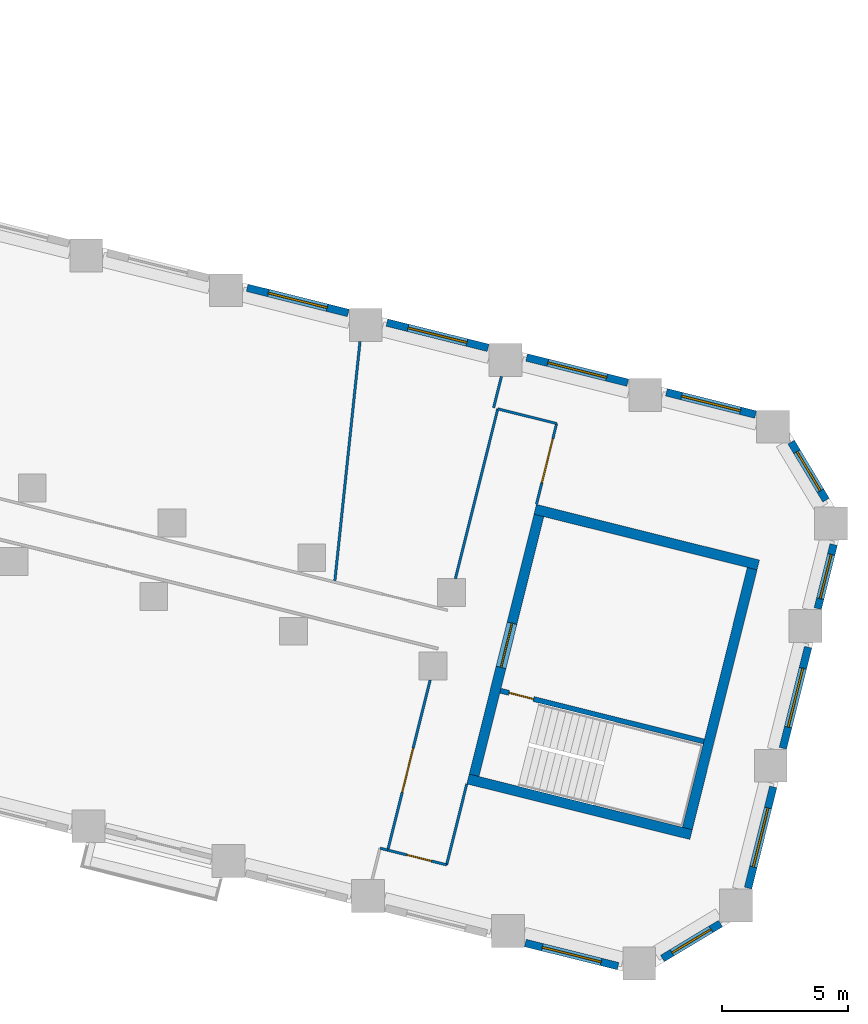
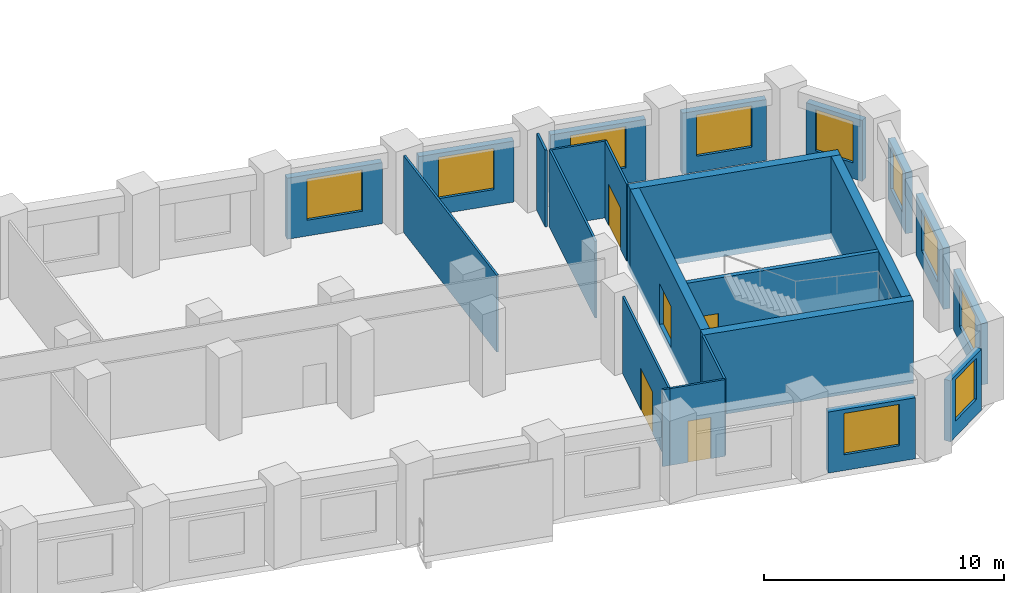
# One storey, part 7 of 11: 24 walls, 10 windows, 5 doors, 15 openings.
"""IFC4 building model written with IfcOpenShell, lengths in metres."""

from ifc_helpers import new_model, si_unit, direction, frame, frame_2d, origin, place, context, subcontext, project, spatial, rectangle, extrude, material, layer, layer_set, type_object, element, fill, save


model = new_model("IFC4")

# Units and contexts
model_context = context("Model", 3, precision=1e-05, world=origin(), true_north=direction((0.0, 1.0)))
body_context = subcontext(model_context, "Body", "Model", "MODEL_VIEW")
ifc_project = project(units=[si_unit("LENGTHUNIT", "METRE"), si_unit("AREAUNIT", "SQUARE_METRE"), si_unit("VOLUMEUNIT", "CUBIC_METRE"), si_unit("PLANEANGLEUNIT", "RADIAN"), si_unit("MASSUNIT", "GRAM", prefix="KILO")], contexts=[model_context])

# Site, building, storey
site_placement = place(None, origin())
site = spatial("IfcSite", under=ifc_project, at=site_placement, CompositionType="ELEMENT")
building_placement = place(site_placement, origin())
building = spatial("IfcBuilding", under=site, at=building_placement, Name="Meshkara Civic Tower", CompositionType="ELEMENT")
storey_placement = place(building_placement, frame((0.0, 0.0, 139.199951171875)))
storey = spatial("IfcBuildingStorey", under=building, at=storey_placement, Name="L31", CompositionType="ELEMENT", Elevation=139.199951171875)

# Wall, opening, door
ifc_material_1 = material(Name="Corridor wall 100")
ifc_layer_1 = layer(ifc_material_1, 0.10009765625)
ifc_layer_set_1 = layer_set([ifc_layer_1], Name="Corridor wall 100")
wall_type_1 = type_object("IfcWallType", Name="Corridor wall 100", PredefinedType="PARTITIONING", material=ifc_layer_set_1)
wall_1_placement = place(storey_placement, frame((67.405029296875, -14.33203125, 0.0), z_axis=(0.0, 0.0, 1.0), x_axis=(0.970256074659, -0.242080874063, 0.0)))
wall_1 = element("IfcWall", 1, at=wall_1_placement, inside=storey, type_object=wall_type_1, Name="L31-W025", PredefinedType="PARTITIONING", context=body_context, shape_type="SweptSolid", body=[
    extrude(rectangle(XDim=2.400146484375, YDim=0.10009765625, at=frame_2d((1.2001953125, 0.0))), origin(), (0.0, 0.0, 1.0), 3.900146484375),
])
opening_1_placement = place(wall_1_placement, frame((0.780029296875, 0.0, 0.0)))
opening_1 = element("IfcOpeningElement", 2, at=opening_1_placement, cuts=wall_1, Name="Opening L31-D001", PredefinedType="OPENING", context=body_context, shape_type="SweptSolid", body=[
    extrude(rectangle(XDim=1.0, YDim=2.10009765625, at=frame_2d((0.5, 1.050048828125))), frame((0.0, 0.06005859375, 0.0), z_axis=(0.0, -1.0, 0.0), x_axis=(1.0, 0.0, 0.0)), (0.0, 0.0, 1.0), 0.1201171875),
])
ifc_material_2 = material(Name="Door 1000 x 2100")
door_type_1 = type_object("IfcDoorType", Name="Door 1000 x 2100", OperationType="SINGLE_SWING_LEFT", PredefinedType="DOOR", material=ifc_material_2)
door_1_placement = place(opening_1_placement, origin())
door_1 = element("IfcDoor", 3, at=door_1_placement, inside=storey, type_object=door_type_1, Name="L31-D001", OperationType="SINGLE_SWING_LEFT", OverallHeight=2.10009765625, OverallWidth=1.0, PredefinedType="DOOR", context=body_context, shape_type="SweptSolid", body=[
    extrude(rectangle(XDim=1.0, YDim=2.10009765625, at=frame_2d((0.5, 1.050048828125))), frame((0.0, 0.02490234375, 0.0), z_axis=(0.0, -1.0, 0.0), x_axis=(1.0, 0.0, 0.0)), (0.0, 0.0, 1.0), 0.050048828125),
])
fill(opening_1, door_1)

wall_2_placement = place(storey_placement, frame((69.083984375, -7.60009765625, 0.0), z_axis=(0.0, 0.0, 1.0), x_axis=(-0.241989134778, -0.970278959191, 0.0)))
wall_2 = element("IfcWall", 4, at=wall_2_placement, inside=storey, type_object=wall_type_1, Name="L31-W026", PredefinedType="PARTITIONING", context=body_context, shape_type="SweptSolid", body=[
    extrude(rectangle(XDim=6.938232421875, YDim=0.10009765625, at=frame_2d((3.46923828125, 0.0))), origin(), (0.0, 0.0, 1.0), 3.900146484375),
])
opening_2_placement = place(wall_2_placement, frame((2.780029296875, 0.0, 0.0)))
opening_2 = element("IfcOpeningElement", 5, at=opening_2_placement, cuts=wall_2, Name="Opening L31-D002", PredefinedType="OPENING", context=body_context, shape_type="SweptSolid", body=[
    extrude(rectangle(XDim=1.800048828125, YDim=2.10009765625, at=frame_2d((0.89990234375, 1.050048828125))), frame((0.0, 0.06005859375, 0.0), z_axis=(0.0, -1.0, 0.0), x_axis=(1.0, 0.0, 0.0)), (0.0, 0.0, 1.0), 0.1201171875),
])
ifc_material_3 = material(Name="Door pair 1800 x 2100")
door_type_2 = type_object("IfcDoorType", Name="Door pair 1800 x 2100", OperationType="SINGLE_SWING_LEFT", PredefinedType="DOOR", material=ifc_material_3)
door_2_placement = place(opening_2_placement, origin())
door_2 = element("IfcDoor", 6, at=door_2_placement, inside=storey, type_object=door_type_2, Name="L31-D002", OperationType="DOUBLE_DOOR_SINGLE_SWING", OverallHeight=2.10009765625, OverallWidth=1.800048828125, PredefinedType="DOOR", context=body_context, shape_type="SweptSolid", body=[
    extrude(rectangle(XDim=1.800048828125, YDim=2.10009765625, at=frame_2d((0.89990234375, 1.050048828125))), frame((0.0, 0.02490234375, 0.0), z_axis=(0.0, -1.0, 0.0), x_axis=(1.0, 0.0, 0.0)), (0.0, 0.0, 1.0), 0.050048828125),
])
fill(opening_2, door_2)

# Walls
wall_3_placement = place(storey_placement, frame((69.73388671875, -14.9130859375, 0.0), z_axis=(0.0, 0.0, 1.0), x_axis=(0.241839284064, 0.97031631991, 0.0)))
element("IfcWall", 7, at=wall_3_placement, inside=storey, type_object=wall_type_1, Name="L31-W027", PredefinedType="PARTITIONING", context=body_context, shape_type="SweptSolid", body=[
    extrude(rectangle(XDim=3.300048828125, YDim=0.10009765625, at=frame_2d((1.64990234375, 0.0))), origin(), (0.0, 0.0, 1.0), 3.900146484375),
])
wall_4_placement = place(storey_placement, frame((71.759033203125, 3.133056640625, 0.0), z_axis=(0.0, 0.0, 1.0), x_axis=(-0.242021590717, -0.970270864051, 0.0)))
element("IfcWall", 8, at=wall_4_placement, inside=storey, type_object=wall_type_1, Name="L31-W028", PredefinedType="PARTITIONING", context=body_context, shape_type="SweptSolid", body=[
    extrude(rectangle(XDim=6.92919921875, YDim=0.10009765625, at=frame_2d((3.464599609375, 0.0))), origin(), (0.0, 0.0, 1.0), 3.900146484375),
])

# Wall, opening, door
wall_5_placement = place(storey_placement, frame((73.2900390625, -0.64990234375, 0.0), z_axis=(0.0, 0.0, 1.0), x_axis=(0.241786986316, 0.970329352977, 0.0)))
wall_5 = element("IfcWall", 9, at=wall_5_placement, inside=storey, type_object=wall_type_1, Name="L31-W029", PredefinedType="PARTITIONING", context=body_context, shape_type="SweptSolid", body=[
    extrude(rectangle(XDim=3.2998046875, YDim=0.10009765625, at=frame_2d((1.64990234375, 0.0))), origin(), (0.0, 0.0, 1.0), 3.900146484375),
])
opening_3_placement = place(wall_5_placement, frame((0.8798828125, 0.0, 0.0)))
opening_3 = element("IfcOpeningElement", 10, at=opening_3_placement, cuts=wall_5, Name="Opening L31-D010", PredefinedType="OPENING", context=body_context, shape_type="SweptSolid", body=[
    extrude(rectangle(XDim=1.800048828125, YDim=2.10009765625, at=frame_2d((0.89990234375, 1.050048828125))), frame((0.0, 0.06005859375, 0.0), z_axis=(0.0, -1.0, 0.0), x_axis=(1.0, 0.0, 0.0)), (0.0, 0.0, 1.0), 0.1201171875),
])
door_3_placement = place(opening_3_placement, origin())
door_3 = element("IfcDoor", 11, at=door_3_placement, inside=storey, type_object=door_type_2, Name="L31-D010", OperationType="DOUBLE_DOOR_SINGLE_SWING", OverallHeight=2.10009765625, OverallWidth=1.800048828125, PredefinedType="DOOR", context=body_context, shape_type="SweptSolid", body=[
    extrude(rectangle(XDim=1.800048828125, YDim=2.10009765625, at=frame_2d((0.89990234375, 1.050048828125))), frame((0.0, 0.02490234375, 0.0), z_axis=(0.0, -1.0, 0.0), x_axis=(1.0, 0.0, 0.0)), (0.0, 0.0, 1.0), 0.050048828125),
])
fill(opening_3, door_3)

# Wall
wall_6_placement = place(storey_placement, frame((74.087890625, 2.552001953125, 0.0), z_axis=(0.0, 0.0, 1.0), x_axis=(-0.970256074659, 0.242080874063, 0.0)))
element("IfcWall", 12, at=wall_6_placement, inside=storey, type_object=wall_type_1, Name="L31-W030", PredefinedType="PARTITIONING", context=body_context, shape_type="SweptSolid", body=[
    extrude(rectangle(XDim=2.400146484375, YDim=0.10009765625, at=frame_2d((1.2001953125, 0.0))), origin(), (0.0, 0.0, 1.0), 3.900146484375),
])

# Wall, opening, window
ifc_material_4 = material(Name="Insulated infill panel with bronze anodised aluminium cladding", Category="aluminium")
ifc_layer_2 = layer(ifc_material_4, 0.300048828125)
ifc_layer_set_2 = layer_set([ifc_layer_2], Name="EXTERNAL INFILL WALL 300")
wall_type_2 = type_object("IfcWallType", Name="EXTERNAL INFILL WALL 300", PredefinedType="SOLIDWALL", material=ifc_layer_set_2)
wall_7_placement = place(storey_placement, frame((81.962890625, 2.906982421875, 0.0), z_axis=(0.0, 0.0, 1.0), x_axis=(-0.970248953144, 0.24210941519, 0.0)))
wall_7 = element("IfcWall", 13, at=wall_7_placement, inside=storey, type_object=wall_type_2, Name="External wall", PredefinedType="SOLIDWALL", context=body_context, shape_type="SweptSolid", body=[
    extrude(rectangle(XDim=3.63916015625, YDim=0.300048828125, at=frame_2d((1.819580078125, 0.0))), origin(), (0.0, 0.0, 1.0), 3.10009765625),
])
opening_4_placement = place(wall_7_placement, frame((0.6201171875, 0.0, 0.800048828125)))
opening_4 = element("IfcOpeningElement", 14, at=opening_4_placement, cuts=wall_7, Name="Opening W7", PredefinedType="OPENING", context=body_context, shape_type="SweptSolid", body=[
    extrude(rectangle(XDim=2.39990234375, YDim=2.10009765625, at=frame_2d((1.199951171875, 1.050048828125))), frame((0.0, 0.159912109375, 0.0), z_axis=(0.0, -1.0, 0.0), x_axis=(1.0, 0.0, 0.0)), (0.0, 0.0, 1.0), 0.320068359375),
])
ifc_material_5 = material(Name="Tinted double glazing", Category="glass")
window_type_1 = type_object("IfcWindowType", Name="WINDOW 2400x2100", PartitioningType="DOUBLE_PANEL_VERTICAL", PredefinedType="WINDOW", material=ifc_material_5)
window_1_placement = place(opening_4_placement, origin())
window_1 = element("IfcWindow", 15, at=window_1_placement, inside=storey, type_object=window_type_1, Name="Window", OverallHeight=2.10009765625, OverallWidth=2.39990234375, PartitioningType="DOUBLE_PANEL_VERTICAL", PredefinedType="WINDOW", context=body_context, shape_type="SweptSolid", body=[
    extrude(rectangle(XDim=2.39990234375, YDim=2.10009765625, at=frame_2d((1.199951171875, 1.050048828125))), frame((0.0, 0.030029296875, 0.0), z_axis=(0.0, -1.0, 0.0), x_axis=(1.0, 0.0, 0.0)), (0.0, 0.0, 1.0), 0.06005859375),
])
fill(opening_4, window_1)

wall_8_placement = place(storey_placement, frame((76.903076171875, 4.1689453125, 0.0), z_axis=(0.0, 0.0, 1.0), x_axis=(-0.970267747908, 0.242034083076, 0.0)))
wall_8 = element("IfcWall", 16, at=wall_8_placement, inside=storey, type_object=wall_type_2, Name="External wall", PredefinedType="SOLIDWALL", context=body_context, shape_type="SweptSolid", body=[
    extrude(rectangle(XDim=4.12353515625, YDim=0.300048828125, at=frame_2d((2.061767578125, 0.0))), origin(), (0.0, 0.0, 1.0), 3.10009765625),
])
opening_5_placement = place(wall_8_placement, frame((0.862060546875, 0.0, 0.800048828125)))
opening_5 = element("IfcOpeningElement", 17, at=opening_5_placement, cuts=wall_8, Name="Opening W7", PredefinedType="OPENING", context=body_context, shape_type="SweptSolid", body=[
    extrude(rectangle(XDim=2.39990234375, YDim=2.10009765625, at=frame_2d((1.199951171875, 1.050048828125))), frame((0.0, 0.159912109375, 0.0), z_axis=(0.0, -1.0, 0.0), x_axis=(1.0, 0.0, 0.0)), (0.0, 0.0, 1.0), 0.320068359375),
])
window_2_placement = place(opening_5_placement, origin())
window_2 = element("IfcWindow", 18, at=window_2_placement, inside=storey, type_object=window_type_1, Name="Window", OverallHeight=2.10009765625, OverallWidth=2.39990234375, PartitioningType="DOUBLE_PANEL_VERTICAL", PredefinedType="WINDOW", context=body_context, shape_type="SweptSolid", body=[
    extrude(rectangle(XDim=2.39990234375, YDim=2.10009765625, at=frame_2d((1.199951171875, 1.050048828125))), frame((0.0, 0.030029296875, 0.0), z_axis=(0.0, -1.0, 0.0), x_axis=(1.0, 0.0, 0.0)), (0.0, 0.0, 1.0), 0.06005859375),
])
fill(opening_5, window_2)

wall_9_placement = place(storey_placement, frame((71.373046875, 5.548095703125, 0.0), z_axis=(0.0, 0.0, 1.0), x_axis=(-0.97029551261, 0.241922752565, 0.0)))
wall_9 = element("IfcWall", 19, at=wall_9_placement, inside=storey, type_object=wall_type_2, Name="External wall", PredefinedType="SOLIDWALL", context=body_context, shape_type="SweptSolid", body=[
    extrude(rectangle(XDim=4.12451171875, YDim=0.300048828125, at=frame_2d((2.062255859375, 0.0))), origin(), (0.0, 0.0, 1.0), 3.10009765625),
])
opening_6_placement = place(wall_9_placement, frame((0.862060546875, 0.0, 0.800048828125)))
opening_6 = element("IfcOpeningElement", 20, at=opening_6_placement, cuts=wall_9, Name="Opening W7", PredefinedType="OPENING", context=body_context, shape_type="SweptSolid", body=[
    extrude(rectangle(XDim=2.39990234375, YDim=2.10009765625, at=frame_2d((1.199951171875, 1.050048828125))), frame((0.0, 0.159912109375, 0.0), z_axis=(0.0, -1.0, 0.0), x_axis=(1.0, 0.0, 0.0)), (0.0, 0.0, 1.0), 0.320068359375),
])
window_3_placement = place(opening_6_placement, origin())
window_3 = element("IfcWindow", 21, at=window_3_placement, inside=storey, type_object=window_type_1, Name="Window", OverallHeight=2.10009765625, OverallWidth=2.39990234375, PartitioningType="DOUBLE_PANEL_VERTICAL", PredefinedType="WINDOW", context=body_context, shape_type="SweptSolid", body=[
    extrude(rectangle(XDim=2.39990234375, YDim=2.10009765625, at=frame_2d((1.199951171875, 1.050048828125))), frame((0.0, 0.030029296875, 0.0), z_axis=(0.0, -1.0, 0.0), x_axis=(1.0, 0.0, 0.0)), (0.0, 0.0, 1.0), 0.06005859375),
])
fill(opening_6, window_3)

wall_10_placement = place(storey_placement, frame((65.842041015625, 6.927001953125, 0.0), z_axis=(0.0, 0.0, 1.0), x_axis=(-0.970281616392, 0.241978480223, 0.0)))
wall_10 = element("IfcWall", 22, at=wall_10_placement, inside=storey, type_object=wall_type_2, Name="External wall", PredefinedType="SOLIDWALL", context=body_context, shape_type="SweptSolid", body=[
    extrude(rectangle(XDim=4.12451171875, YDim=0.300048828125, at=frame_2d((2.062255859375, 0.0))), origin(), (0.0, 0.0, 1.0), 3.10009765625),
])
opening_7_placement = place(wall_10_placement, frame((0.862060546875, 0.0, 0.800048828125)))
opening_7 = element("IfcOpeningElement", 23, at=opening_7_placement, cuts=wall_10, Name="Opening W7", PredefinedType="OPENING", context=body_context, shape_type="SweptSolid", body=[
    extrude(rectangle(XDim=2.39990234375, YDim=2.10009765625, at=frame_2d((1.199951171875, 1.050048828125))), frame((0.0, 0.159912109375, 0.0), z_axis=(0.0, -1.0, 0.0), x_axis=(1.0, 0.0, 0.0)), (0.0, 0.0, 1.0), 0.320068359375),
])
window_4_placement = place(opening_7_placement, origin())
window_4 = element("IfcWindow", 24, at=window_4_placement, inside=storey, type_object=window_type_1, Name="Window", OverallHeight=2.10009765625, OverallWidth=2.39990234375, PartitioningType="DOUBLE_PANEL_VERTICAL", PredefinedType="WINDOW", context=body_context, shape_type="SweptSolid", body=[
    extrude(rectangle(XDim=2.39990234375, YDim=2.10009765625, at=frame_2d((1.199951171875, 1.050048828125))), frame((0.0, 0.030029296875, 0.0), z_axis=(0.0, -1.0, 0.0), x_axis=(1.0, 0.0, 0.0)), (0.0, 0.0, 1.0), 0.06005859375),
])
fill(opening_7, window_4)

wall_11_placement = place(storey_placement, frame((72.85009765625, -18.009033203125, 0.0), z_axis=(0.0, 0.0, 1.0), x_axis=(0.970309295155, -0.241867467295, 0.0)))
wall_11 = element("IfcWall", 25, at=wall_11_placement, inside=storey, type_object=wall_type_2, Name="External wall", PredefinedType="SOLIDWALL", context=body_context, shape_type="SweptSolid", body=[
    extrude(rectangle(XDim=3.783203125, YDim=0.300048828125, at=frame_2d((1.8916015625, 0.0))), origin(), (0.0, 0.0, 1.0), 3.10009765625),
])
opening_8_placement = place(wall_11_placement, frame((0.69189453125, 0.0, 0.800048828125)))
opening_8 = element("IfcOpeningElement", 26, at=opening_8_placement, cuts=wall_11, Name="Opening W7", PredefinedType="OPENING", context=body_context, shape_type="SweptSolid", body=[
    extrude(rectangle(XDim=2.39990234375, YDim=2.10009765625, at=frame_2d((1.199951171875, 1.050048828125))), frame((0.0, 0.159912109375, 0.0), z_axis=(0.0, -1.0, 0.0), x_axis=(1.0, 0.0, 0.0)), (0.0, 0.0, 1.0), 0.320068359375),
])
window_5_placement = place(opening_8_placement, origin())
window_5 = element("IfcWindow", 27, at=window_5_placement, inside=storey, type_object=window_type_1, Name="Window", OverallHeight=2.10009765625, OverallWidth=2.39990234375, PartitioningType="DOUBLE_PANEL_VERTICAL", PredefinedType="WINDOW", context=body_context, shape_type="SweptSolid", body=[
    extrude(rectangle(XDim=2.39990234375, YDim=2.10009765625, at=frame_2d((1.199951171875, 1.050048828125))), frame((0.0, 0.030029296875, 0.0), z_axis=(0.0, -1.0, 0.0), x_axis=(1.0, 0.0, 0.0)), (0.0, 0.0, 1.0), 0.06005859375),
])
fill(opening_8, window_5)

wall_12_placement = place(storey_placement, frame((78.277099609375, -18.62109375, 0.0), z_axis=(0.0, 0.0, 1.0), x_axis=(0.857066424989, 0.515205923061, 0.0)))
wall_12 = element("IfcWall", 28, at=wall_12_placement, inside=storey, type_object=wall_type_2, Name="External wall", PredefinedType="SOLIDWALL", context=body_context, shape_type="SweptSolid", body=[
    extrude(rectangle(XDim=2.6787109375, YDim=0.300048828125, at=frame_2d((1.33935546875, 0.0))), origin(), (0.0, 0.0, 1.0), 3.10009765625),
])
opening_9_placement = place(wall_12_placement, frame((0.43896484375, 0.0, 0.800048828125)))
opening_9 = element("IfcOpeningElement", 29, at=opening_9_placement, cuts=wall_12, Name="Opening W9", PredefinedType="OPENING", context=body_context, shape_type="SweptSolid", body=[
    extrude(rectangle(XDim=1.800048828125, YDim=2.10009765625, at=frame_2d((0.89990234375, 1.050048828125))), frame((0.0, 0.159912109375, 0.0), z_axis=(0.0, -1.0, 0.0), x_axis=(1.0, 0.0, 0.0)), (0.0, 0.0, 1.0), 0.320068359375),
])
ifc_material_6 = material(Name="Tinted double glazing", Category="glass")
window_type_2 = type_object("IfcWindowType", Name="WINDOW 1800x2100", PartitioningType="DOUBLE_PANEL_VERTICAL", PredefinedType="WINDOW", material=ifc_material_6)
window_6_placement = place(opening_9_placement, origin())
window_6 = element("IfcWindow", 30, at=window_6_placement, inside=storey, type_object=window_type_2, Name="Window", OverallHeight=2.10009765625, OverallWidth=1.800048828125, PartitioningType="DOUBLE_PANEL_VERTICAL", PredefinedType="WINDOW", context=body_context, shape_type="SweptSolid", body=[
    extrude(rectangle(XDim=1.800048828125, YDim=2.10009765625, at=frame_2d((0.89990234375, 1.050048828125))), frame((0.0, 0.030029296875, 0.0), z_axis=(0.0, -1.0, 0.0), x_axis=(1.0, 0.0, 0.0)), (0.0, 0.0, 1.0), 0.06005859375),
])
fill(opening_9, window_6)

wall_13_placement = place(storey_placement, frame((81.6650390625, -15.83203125, 0.0), z_axis=(0.0, 0.0, 1.0), x_axis=(0.241978480223, 0.970281616392, 0.0)))
wall_13 = element("IfcWall", 31, at=wall_13_placement, inside=storey, type_object=wall_type_2, Name="External wall", PredefinedType="SOLIDWALL", context=body_context, shape_type="SweptSolid", body=[
    extrude(rectangle(XDim=4.12451171875, YDim=0.300048828125, at=frame_2d((2.062255859375, 0.0))), origin(), (0.0, 0.0, 1.0), 3.10009765625),
])
opening_10_placement = place(wall_13_placement, frame((0.862060546875, 0.0, 0.800048828125)))
opening_10 = element("IfcOpeningElement", 32, at=opening_10_placement, cuts=wall_13, Name="Opening W7", PredefinedType="OPENING", context=body_context, shape_type="SweptSolid", body=[
    extrude(rectangle(XDim=2.39990234375, YDim=2.10009765625, at=frame_2d((1.199951171875, 1.050048828125))), frame((0.0, 0.159912109375, 0.0), z_axis=(0.0, -1.0, 0.0), x_axis=(1.0, 0.0, 0.0)), (0.0, 0.0, 1.0), 0.320068359375),
])
window_7_placement = place(opening_10_placement, origin())
window_7 = element("IfcWindow", 33, at=window_7_placement, inside=storey, type_object=window_type_1, Name="Window", OverallHeight=2.10009765625, OverallWidth=2.39990234375, PartitioningType="DOUBLE_PANEL_VERTICAL", PredefinedType="WINDOW", context=body_context, shape_type="SweptSolid", body=[
    extrude(rectangle(XDim=2.39990234375, YDim=2.10009765625, at=frame_2d((1.199951171875, 1.050048828125))), frame((0.0, 0.030029296875, 0.0), z_axis=(0.0, -1.0, 0.0), x_axis=(1.0, 0.0, 0.0)), (0.0, 0.0, 1.0), 0.06005859375),
])
fill(opening_10, window_7)

wall_14_placement = place(storey_placement, frame((83.0439453125, -10.301025390625, 0.0), z_axis=(0.0, 0.0, 1.0), x_axis=(0.242034083076, 0.970267747908, 0.0)))
wall_14 = element("IfcWall", 34, at=wall_14_placement, inside=storey, type_object=wall_type_2, Name="External wall", PredefinedType="SOLIDWALL", context=body_context, shape_type="SweptSolid", body=[
    extrude(rectangle(XDim=4.12353515625, YDim=0.300048828125, at=frame_2d((2.061767578125, 0.0))), origin(), (0.0, 0.0, 1.0), 3.10009765625),
])
opening_11_placement = place(wall_14_placement, frame((0.862060546875, 0.0, 0.800048828125)))
opening_11 = element("IfcOpeningElement", 35, at=opening_11_placement, cuts=wall_14, Name="Opening W7", PredefinedType="OPENING", context=body_context, shape_type="SweptSolid", body=[
    extrude(rectangle(XDim=2.39990234375, YDim=2.10009765625, at=frame_2d((1.199951171875, 1.050048828125))), frame((0.0, 0.159912109375, 0.0), z_axis=(0.0, -1.0, 0.0), x_axis=(1.0, 0.0, 0.0)), (0.0, 0.0, 1.0), 0.320068359375),
])
window_8_placement = place(opening_11_placement, origin())
window_8 = element("IfcWindow", 36, at=window_8_placement, inside=storey, type_object=window_type_1, Name="Window", OverallHeight=2.10009765625, OverallWidth=2.39990234375, PartitioningType="DOUBLE_PANEL_VERTICAL", PredefinedType="WINDOW", context=body_context, shape_type="SweptSolid", body=[
    extrude(rectangle(XDim=2.39990234375, YDim=2.10009765625, at=frame_2d((1.199951171875, 1.050048828125))), frame((0.0, 0.030029296875, 0.0), z_axis=(0.0, -1.0, 0.0), x_axis=(1.0, 0.0, 0.0)), (0.0, 0.0, 1.0), 0.06005859375),
])
fill(opening_11, window_8)

wall_15_placement = place(storey_placement, frame((84.423095703125, -4.77099609375, 0.0), z_axis=(0.0, 0.0, 1.0), x_axis=(0.241941668773, 0.970290796056, 0.0)))
wall_15 = element("IfcWall", 37, at=wall_15_placement, inside=storey, type_object=wall_type_2, Name="External wall", PredefinedType="SOLIDWALL", context=body_context, shape_type="SweptSolid", body=[
    extrude(rectangle(XDim=2.611572265625, YDim=0.300048828125, at=frame_2d((1.3056640625, 0.0))), origin(), (0.0, 0.0, 1.0), 3.10009765625),
])
opening_12_placement = place(wall_15_placement, frame((0.406005859375, 0.0, 0.800048828125)))
opening_12 = element("IfcOpeningElement", 38, at=opening_12_placement, cuts=wall_15, Name="Opening W9", PredefinedType="OPENING", context=body_context, shape_type="SweptSolid", body=[
    extrude(rectangle(XDim=1.800048828125, YDim=2.10009765625, at=frame_2d((0.89990234375, 1.050048828125))), frame((0.0, 0.159912109375, 0.0), z_axis=(0.0, -1.0, 0.0), x_axis=(1.0, 0.0, 0.0)), (0.0, 0.0, 1.0), 0.320068359375),
])
window_9_placement = place(opening_12_placement, origin())
window_9 = element("IfcWindow", 39, at=window_9_placement, inside=storey, type_object=window_type_2, Name="Window", OverallHeight=2.10009765625, OverallWidth=1.800048828125, PartitioningType="DOUBLE_PANEL_VERTICAL", PredefinedType="WINDOW", context=body_context, shape_type="SweptSolid", body=[
    extrude(rectangle(XDim=1.800048828125, YDim=2.10009765625, at=frame_2d((0.89990234375, 1.050048828125))), frame((0.0, 0.030029296875, 0.0), z_axis=(0.0, -1.0, 0.0), x_axis=(1.0, 0.0, 0.0)), (0.0, 0.0, 1.0), 0.06005859375),
])
fill(opening_12, window_9)

wall_16_placement = place(storey_placement, frame((84.751953125, -0.48095703125, 0.0), z_axis=(0.0, 0.0, 1.0), x_axis=(-0.515138971391, 0.857106667898, 0.0)))
wall_16 = element("IfcWall", 40, at=wall_16_placement, inside=storey, type_object=wall_type_2, Name="External wall", PredefinedType="SOLIDWALL", context=body_context, shape_type="SweptSolid", body=[
    extrude(rectangle(XDim=2.6787109375, YDim=0.300048828125, at=frame_2d((1.33935546875, 0.0))), origin(), (0.0, 0.0, 1.0), 3.10009765625),
])
opening_13_placement = place(wall_16_placement, frame((0.43896484375, 0.0, 0.800048828125)))
opening_13 = element("IfcOpeningElement", 41, at=opening_13_placement, cuts=wall_16, Name="Opening W9", PredefinedType="OPENING", context=body_context, shape_type="SweptSolid", body=[
    extrude(rectangle(XDim=1.800048828125, YDim=2.10009765625, at=frame_2d((0.89990234375, 1.050048828125))), frame((0.0, 0.159912109375, 0.0), z_axis=(0.0, -1.0, 0.0), x_axis=(1.0, 0.0, 0.0)), (0.0, 0.0, 1.0), 0.320068359375),
])
window_10_placement = place(opening_13_placement, origin())
window_10 = element("IfcWindow", 42, at=window_10_placement, inside=storey, type_object=window_type_2, Name="Window", OverallHeight=2.10009765625, OverallWidth=1.800048828125, PartitioningType="DOUBLE_PANEL_VERTICAL", PredefinedType="WINDOW", context=body_context, shape_type="SweptSolid", body=[
    extrude(rectangle(XDim=1.800048828125, YDim=2.10009765625, at=frame_2d((0.89990234375, 1.050048828125))), frame((0.0, 0.030029296875, 0.0), z_axis=(0.0, -1.0, 0.0), x_axis=(1.0, 0.0, 0.0)), (0.0, 0.0, 1.0), 0.06005859375),
])
fill(opening_13, window_10)

# Walls
ifc_material_7 = material(Name="Concrete C70", Category="concrete")
ifc_layer_3 = layer(ifc_material_7, 0.39990234375)
ifc_layer_set_3 = layer_set([ifc_layer_3], Name="End core ring wall 400 C70")
wall_type_3 = type_object("IfcWallType", Name="End core ring wall 400 C70", PredefinedType="SHEAR", material=ifc_layer_set_3)
for number, where, z_axis, x_axis, name in (
    (43, (70.580078125, -11.51708984375, -0.300048828125), (0.0, 0.0, 1.0), (0.970285938441, -0.241961149081, 0.0), "L31-C030"),
    (44, (73.240966796875, -0.843994140625, -0.300048828125), (0.0, 0.0, 1.0), (0.970312696888, -0.241853820019, 0.0), "L31-C031"),
):
    element("IfcWall", number, at=place(storey_placement, frame(where, z_axis=z_axis, x_axis=x_axis)), inside=storey, type_object=wall_type_3, Name=name, PredefinedType="SHEAR", context=body_context, shape_type="SweptSolid", body=[
        extrude(rectangle(XDim=9.100341796875, YDim=0.39990234375, at=frame_2d((4.55029296875, 0.0))), origin(), (0.0, 0.0, 1.0), 4.2001953125),
    ])

# Wall, opening, door
wall_17_placement = place(storey_placement, frame((70.822998046875, -11.37109375, -0.300048828125), z_axis=(0.0, 0.0, 1.0), x_axis=(0.241885246693, 0.97030486314, 0.0)))
wall_17 = element("IfcWall", 45, at=wall_17_placement, inside=storey, type_object=wall_type_3, Name="L31-C032", PredefinedType="SHEAR", context=body_context, shape_type="SweptSolid", body=[
    extrude(rectangle(XDim=10.599853515625, YDim=0.39990234375, at=frame_2d((5.2998046875, 0.0))), origin(), (0.0, 0.0, 1.0), 4.2001953125),
])
opening_14_placement = place(wall_17_placement, frame((4.39990234375, 0.0, 0.300048828125)))
opening_14 = element("IfcOpeningElement", 46, at=opening_14_placement, cuts=wall_17, Name="Opening L31-K202", PredefinedType="OPENING", context=body_context, shape_type="SweptSolid", body=[
    extrude(rectangle(XDim=1.800048828125, YDim=2.10009765625, at=frame_2d((0.89990234375, 1.050048828125))), frame((0.0, 0.2099609375, 0.0), z_axis=(0.0, -1.0, 0.0), x_axis=(1.0, 0.0, 0.0)), (0.0, 0.0, 1.0), 0.419921875),
])
ifc_material_8 = material(Name="Fire-rated door leaf in steel frame", Category="steel")
door_type_3 = type_object("IfcDoorType", Name="Core double door 1800 EI 60", OperationType="DOUBLE_DOOR_SINGLE_SWING", PredefinedType="DOOR", material=ifc_material_8)
door_4_placement = place(opening_14_placement, origin())
door_4 = element("IfcDoor", 47, at=door_4_placement, inside=storey, type_object=door_type_3, Name="L31-K202", OperationType="DOUBLE_DOOR_SINGLE_SWING", OverallHeight=2.10009765625, OverallWidth=1.800048828125, PredefinedType="DOOR", context=body_context, shape_type="SweptSolid", body=[
    extrude(rectangle(XDim=1.800048828125, YDim=2.10009765625, at=frame_2d((0.89990234375, 1.050048828125))), frame((0.0, 0.02490234375, 0.0), z_axis=(0.0, -1.0, 0.0), x_axis=(1.0, 0.0, 0.0)), (0.0, 0.0, 1.0), 0.050048828125),
])
fill(opening_14, door_4)

# Walls
wall_18_placement = place(storey_placement, frame((79.263916015625, -13.47607421875, -0.300048828125), z_axis=(0.0, 0.0, 1.0), x_axis=(0.241993665753, 0.970277829148, 0.0)))
element("IfcWall", 48, at=wall_18_placement, inside=storey, type_object=wall_type_3, Name="L31-C033", PredefinedType="SHEAR", context=body_context, shape_type="SweptSolid", body=[
    extrude(rectangle(XDim=10.60009765625, YDim=0.39990234375, at=frame_2d((5.300048828125, 0.0))), origin(), (0.0, 0.0, 1.0), 4.2001953125),
])
ifc_material_9 = material(Name="Partition 100")
ifc_layer_4 = layer(ifc_material_9, 0.10009765625)
ifc_layer_set_4 = layer_set([ifc_layer_4], Name="Partition 100")
wall_type_4 = type_object("IfcWallType", Name="Partition 100", PredefinedType="PARTITIONING", material=ifc_layer_set_4)
wall_19_placement = place(storey_placement, frame((65.31103515625, -3.6689453125, 0.0), z_axis=(0.0, 0.0, 1.0), x_axis=(0.104547226463, 0.994519923098, 0.0)))
element("IfcWall", 49, at=wall_19_placement, inside=storey, type_object=wall_type_4, Name="L31-W049", PredefinedType="PARTITIONING", context=body_context, shape_type="SweptSolid", body=[
    extrude(rectangle(XDim=9.51611328125, YDim=0.10009765625, at=frame_2d((4.758056640625, 0.0))), origin(), (0.0, 0.0, 1.0), 3.900146484375),
])
wall_20_placement = place(storey_placement, frame((67.09912109375, -14.256103515625, 0.0), z_axis=(0.0, 0.0, 1.0), x_axis=(0.970546048538, -0.240915685807, 0.0)))
element("IfcWall", 50, at=wall_20_placement, inside=storey, type_object=wall_type_4, Name="L31-W051", PredefinedType="PARTITIONING", context=body_context, shape_type="SweptSolid", body=[
    extrude(rectangle(XDim=0.3193359375, YDim=0.10009765625, at=frame_2d((0.15966796875, 0.0))), origin(), (0.0, 0.0, 1.0), 3.900146484375),
])
wall_21_placement = place(storey_placement, frame((71.593017578125, 3.174072265625, 0.0), z_axis=(0.0, 0.0, 1.0), x_axis=(0.242221476086, 0.970220983345, 0.0)))
element("IfcWall", 51, at=wall_21_placement, inside=storey, type_object=wall_type_4, Name="L31-W052", PredefinedType="PARTITIONING", context=body_context, shape_type="SweptSolid", body=[
    extrude(rectangle(XDim=1.280029296875, YDim=0.10009765625, at=frame_2d((0.64013671875, 0.0))), origin(), (0.0, 0.0, 1.0), 3.900146484375),
])

# Wall, opening, door
ifc_material_10 = material(Name="Concrete C40/50", Category="concrete")
ifc_layer_5 = layer(ifc_material_10, 0.199951171875)
ifc_layer_set_5 = layer_set([ifc_layer_5], Name="Stair enclosure wall 200 C40/50")
wall_type_5 = type_object("IfcWallType", Name="Stair enclosure wall 200 C40/50", PredefinedType="SOLIDWALL", material=ifc_layer_set_5)
wall_22_placement = place(storey_placement, frame((71.864013671875, -8.02392578125, 0.0), z_axis=(0.0, 0.0, 1.0), x_axis=(0.970289402158, -0.241947258837, 0.0)))
wall_22 = element("IfcWall", 52, at=wall_22_placement, inside=storey, type_object=wall_type_5, Name="L31-C034", PredefinedType="SOLIDWALL", context=body_context, shape_type="SweptSolid", body=[
    extrude(rectangle(XDim=8.299560546875, YDim=0.199951171875, at=frame_2d((4.14990234375, 0.0))), origin(), (0.0, 0.0, 1.0), 3.900146484375),
])
opening_15_placement = place(wall_22_placement, frame((0.35009765625, 0.0, 0.0)))
opening_15 = element("IfcOpeningElement", 53, at=opening_15_placement, cuts=wall_22, Name="Opening L31-K201", PredefinedType="OPENING", context=body_context, shape_type="SweptSolid", body=[
    extrude(rectangle(XDim=1.0, YDim=2.10009765625, at=frame_2d((0.5, 1.050048828125))), frame((0.0, 0.10986328125, 0.0), z_axis=(0.0, -1.0, 0.0), x_axis=(1.0, 0.0, 0.0)), (0.0, 0.0, 1.0), 0.219970703125),
])
ifc_material_11 = material(Name="Fire-rated door leaf in steel frame", Category="steel")
door_type_4 = type_object("IfcDoorType", Name="Stair door 1000 EI 120", OperationType="SINGLE_SWING_LEFT", PredefinedType="DOOR", material=ifc_material_11)
door_5_placement = place(opening_15_placement, origin())
door_5 = element("IfcDoor", 54, at=door_5_placement, inside=storey, type_object=door_type_4, Name="L31-K201", OperationType="SINGLE_SWING_LEFT", OverallHeight=2.10009765625, OverallWidth=1.0, PredefinedType="DOOR", context=body_context, shape_type="SweptSolid", body=[
    extrude(rectangle(XDim=1.0, YDim=2.10009765625, at=frame_2d((0.5, 1.050048828125))), frame((0.0, 0.02490234375, 0.0), z_axis=(0.0, -1.0, 0.0), x_axis=(1.0, 0.0, 0.0)), (0.0, 0.0, 1.0), 0.050048828125),
])
fill(opening_15, door_5)

save(model, "model.ifc")
